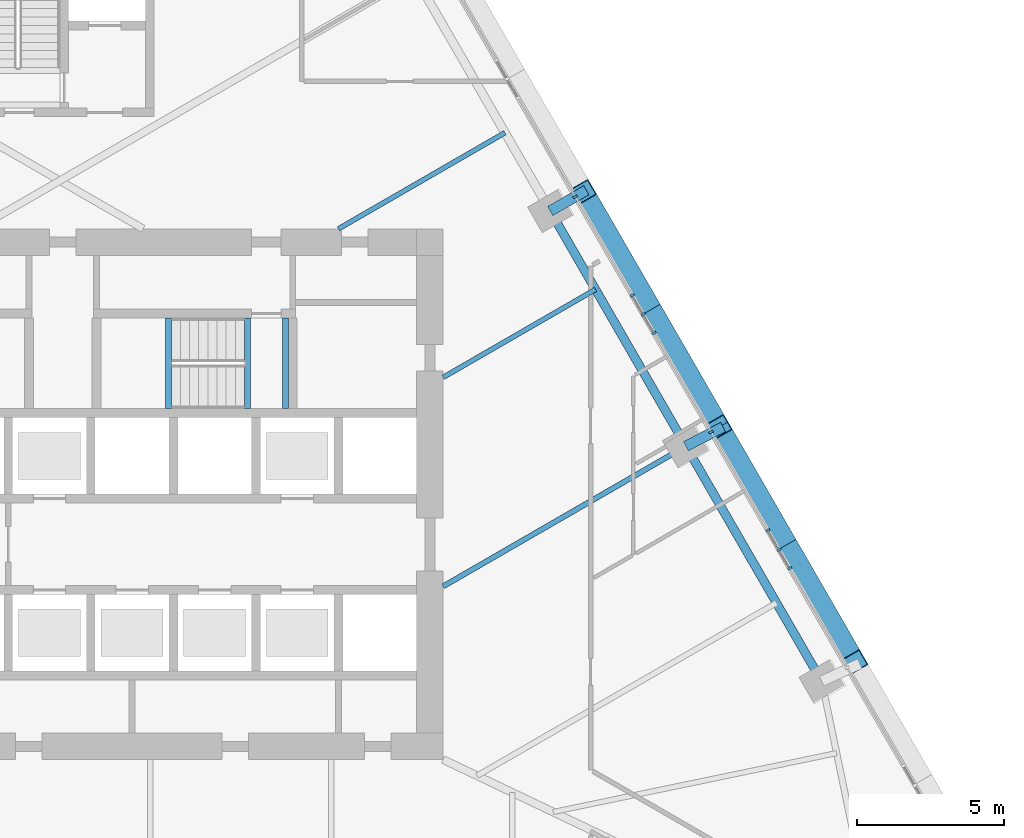
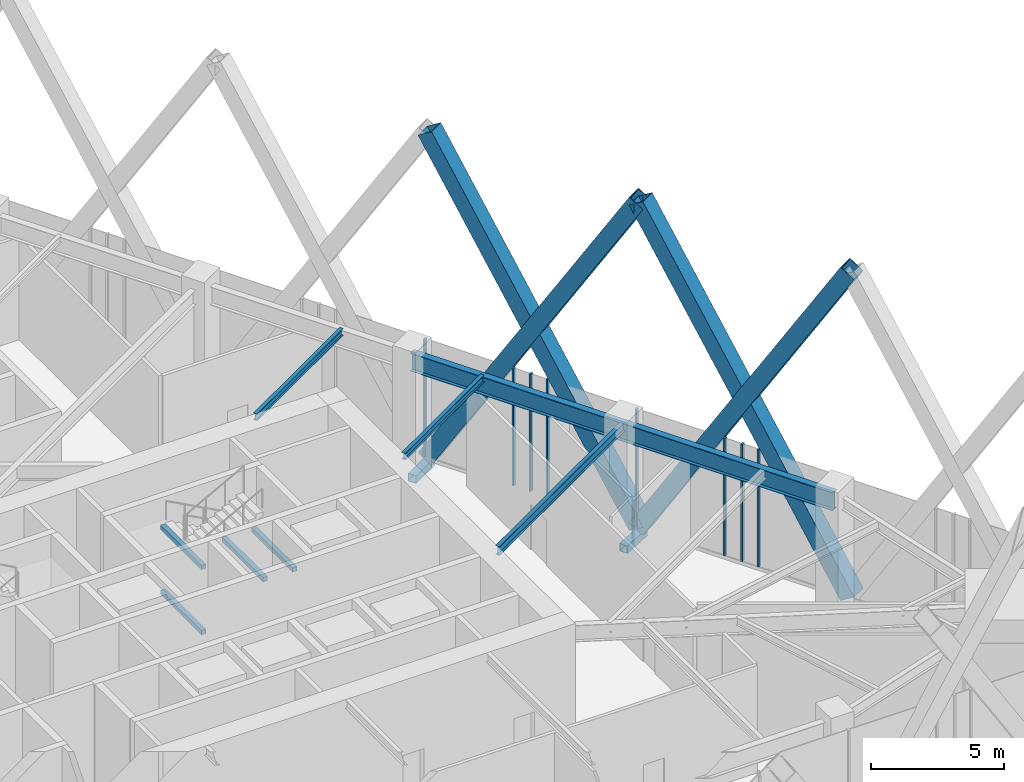
# One storey, part 7 of 21: 14 members, 8 beams, 1 element without a shape of its own.
"""IFC4 building model written with IfcOpenShell, lengths in metres."""

from ifc_helpers import new_model, si_unit, direction, frame, origin, origin_2d, place, context, subcontext, project, spatial, rectangle, hollow_rectangle, i_section, extrude, material, layer, layer_set, material_profile, profile_set, type_object, element, aggregate, save


model = new_model("IFC4")

# Units and contexts
model_context = context("Model", 3, precision=1e-05, world=origin(), true_north=direction((0.0, 1.0)))
body_context = subcontext(model_context, "Body", "Model", "MODEL_VIEW")
ifc_project = project(units=[si_unit("LENGTHUNIT", "METRE"), si_unit("AREAUNIT", "SQUARE_METRE"), si_unit("VOLUMEUNIT", "CUBIC_METRE"), si_unit("PLANEANGLEUNIT", "RADIAN"), si_unit("MASSUNIT", "GRAM", prefix="KILO")], contexts=[model_context])

# Site, building, storey
site_placement = place(None, origin())
site = spatial("IfcSite", under=ifc_project, at=site_placement, CompositionType="ELEMENT")
building_placement = place(site_placement, origin())
building = spatial("IfcBuilding", under=site, at=building_placement, Name="Firuza Gate Tower and Library", CompositionType="ELEMENT")
storey_placement = place(building_placement, frame((0.0, 0.0, 140.800048828125)))
storey = spatial("IfcBuildingStorey", under=building, at=storey_placement, Name="L32", CompositionType="ELEMENT", Elevation=140.800048828125)

# Members
ifc_material_1 = material(Name="Steel S355", Category="steel")
ifc_material_profile_1 = material_profile(ifc_material_1, hollow_rectangle(XDim=0.699951171875, YDim=0.699951171875, WallThickness=0.030029296875, at=origin_2d()))
ifc_profile_set_1 = profile_set([ifc_material_profile_1], Name="Steel S355")
member_type_1 = type_object("IfcMemberType", Name="BU700x700x30 Lattice brace", PredefinedType="BRACE", material=ifc_profile_set_1)
for number, where, z_axis, x_axis, name in (
    (1, (101.96337890625, 69.30517578125, 0.0), (-0.261560312922, 0.453028121538, 0.852262708206), (-0.866021757479, -0.500006315534, 0.0), "Lattice brace E 7.2R"),
    (2, (97.35986328125, 77.278564453125, 0.0), (0.261560312922, -0.453028121538, 0.852262708206), (0.866021757479, 0.500006315534, 0.0), "Lattice brace E 7.2L"),
    (3, (97.35986328125, 77.278564453125, 0.0), (-0.261549033997, 0.453018740507, 0.852271156126), (-0.866026610508, -0.499997909888, 0.0), "Lattice brace E 7.3R"),
    (4, (92.756591796875, 85.251708984375, 0.0), (0.261549033997, -0.453018740507, 0.852271156126), (0.866026610508, 0.499997909888, 0.0), "Lattice brace E 7.3L"),
):
    element("IfcMember", number, at=place(storey_placement, frame(where, z_axis=z_axis, x_axis=x_axis)), inside=storey, type_object=member_type_1, Name=name, PredefinedType="BRACE", context=body_context, shape_type="SweptSolid", body=[
        extrude(hollow_rectangle(XDim=0.699951171875, YDim=0.699951171875, WallThickness=0.030029296875, at=origin_2d()), origin(), (0.0, 0.0, 1.0), 17.60009765625),
    ])

# Curtain wall, members
ifc_material_2 = material(Name="Aluminium 6063-T6", Category="aluminium")
ifc_layer = layer(ifc_material_2, 0.14990234375)
ifc_layer_set = layer_set([ifc_layer], Name="Unitised curtain wall, offices")
curtain_wall_type = type_object("IfcCurtainWallType", Name="Unitised curtain wall, offices", PredefinedType="NOTDEFINED", material=ifc_layer_set)
curtain_wall_placement = place(storey_placement, origin())
curtain_wall = element("IfcCurtainWall", 5, at=curtain_wall_placement, inside=storey, type_object=curtain_wall_type, Name="CW1 L32 E face", PredefinedType="NOTDEFINED")
ifc_material_3 = material(Name="Aluminium 6063-T6", Category="aluminium")
ifc_material_profile_2 = material_profile(ifc_material_3, rectangle(XDim=0.14990234375, YDim=0.080078125, at=origin_2d()))
ifc_profile_set_2 = profile_set([ifc_material_profile_2], Name="Aluminium 6063-T6")
member_type_2 = type_object("IfcMemberType", Name="Curtain wall mullion 80x150", PredefinedType="MULLION", material=ifc_profile_set_2)
member_1_placement = place(storey_placement, frame((99.390869140625, 73.110595703125, 0.14990234375), z_axis=(0.0, 0.0, 1.0), x_axis=(-0.866025403784, -0.5, 0.0)))
member_1 = element("IfcMember", 6, at=member_1_placement, type_object=member_type_2, Name="Mullion", PredefinedType="MULLION", context=body_context, shape_type="SweptSolid", body=[
    extrude(rectangle(XDim=0.14990234375, YDim=0.080078125, at=origin_2d()), origin(), (0.0, 0.0, 1.0), 5.400146484375),
])
member_2_placement = place(storey_placement, frame((97.085693359375, 77.103515625, 0.14990234375), z_axis=(0.0, 0.0, 1.0), x_axis=(-0.866025403784, -0.5, 0.0)))
member_2 = element("IfcMember", 7, at=member_2_placement, type_object=member_type_2, Name="Mullion", PredefinedType="MULLION", context=body_context, shape_type="SweptSolid", body=[
    extrude(rectangle(XDim=0.14990234375, YDim=0.080078125, at=origin_2d()), origin(), (0.0, 0.0, 1.0), 5.400146484375),
])
member_3_placement = place(storey_placement, frame((94.7802734375, 81.096435546875, 0.14990234375), z_axis=(0.0, 0.0, 1.0), x_axis=(-0.866025403784, -0.5, 0.0)))
member_3 = element("IfcMember", 8, at=member_3_placement, type_object=member_type_2, Name="Mullion", PredefinedType="MULLION", context=body_context, shape_type="SweptSolid", body=[
    extrude(rectangle(XDim=0.14990234375, YDim=0.080078125, at=origin_2d()), origin(), (0.0, 0.0, 1.0), 5.400146484375),
])
member_4_placement = place(storey_placement, frame((92.47509765625, 85.089111328125, 0.14990234375), z_axis=(0.0, 0.0, 1.0), x_axis=(-0.866025403784, -0.5, 0.0)))
member_4 = element("IfcMember", 9, at=member_4_placement, type_object=member_type_2, Name="Mullion", PredefinedType="MULLION", context=body_context, shape_type="SweptSolid", body=[
    extrude(rectangle(XDim=0.14990234375, YDim=0.080078125, at=origin_2d()), origin(), (0.0, 0.0, 1.0), 5.400146484375),
])
member_5_placement = place(storey_placement, frame((99.750732421875, 72.4873046875, 0.14990234375), z_axis=(0.0, 0.0, 1.0), x_axis=(-0.866025403784, -0.5, 0.0)))
member_5 = element("IfcMember", 10, at=member_5_placement, type_object=member_type_2, Name="Mullion", PredefinedType="MULLION", context=body_context, shape_type="SweptSolid", body=[
    extrude(rectangle(XDim=0.14990234375, YDim=0.080078125, at=origin_2d()), origin(), (0.0, 0.0, 1.0), 5.400146484375),
])
member_6_placement = place(storey_placement, frame((99.009521484375, 73.771240234375, 0.14990234375), z_axis=(0.0, 0.0, 1.0), x_axis=(-0.866025403784, -0.5, 0.0)))
member_6 = element("IfcMember", 11, at=member_6_placement, type_object=member_type_2, Name="Mullion", PredefinedType="MULLION", context=body_context, shape_type="SweptSolid", body=[
    extrude(rectangle(XDim=0.14990234375, YDim=0.080078125, at=origin_2d()), origin(), (0.0, 0.0, 1.0), 5.400146484375),
])
member_7_placement = place(storey_placement, frame((95.1474609375, 80.460693359375, 0.14990234375), z_axis=(0.0, 0.0, 1.0), x_axis=(-0.866025403784, -0.5, 0.0)))
member_7 = element("IfcMember", 12, at=member_7_placement, type_object=member_type_2, Name="Mullion", PredefinedType="MULLION", context=body_context, shape_type="SweptSolid", body=[
    extrude(rectangle(XDim=0.14990234375, YDim=0.080078125, at=origin_2d()), origin(), (0.0, 0.0, 1.0), 5.400146484375),
])
member_8_placement = place(storey_placement, frame((94.40625, 81.744384765625, 0.14990234375), z_axis=(0.0, 0.0, 1.0), x_axis=(-0.866025403784, -0.5, 0.0)))
member_8 = element("IfcMember", 13, at=member_8_placement, type_object=member_type_2, Name="Mullion", PredefinedType="MULLION", context=body_context, shape_type="SweptSolid", body=[
    extrude(rectangle(XDim=0.14990234375, YDim=0.080078125, at=origin_2d()), origin(), (0.0, 0.0, 1.0), 5.400146484375),
])
aggregate(curtain_wall, [member_1, member_2, member_3, member_4, member_5, member_6, member_7, member_8])

# Members
ifc_material_4 = material(Name="Steel S355", Category="steel")
ifc_material_profile_3 = material_profile(ifc_material_4, hollow_rectangle(XDim=0.355712890625, YDim=0.355712890625, WallThickness=0.014892578125, at=origin_2d()))
ifc_profile_set_3 = profile_set([ifc_material_profile_3], Name="Steel S355")
member_type_3 = type_object("IfcMemberType", Name="HSS356x356x16 Lattice node tie", PredefinedType="BRACE", material=ifc_profile_set_3)
member_9_placement = place(storey_placement, frame((91.630615234375, 84.601806640625, -0.320068359375), z_axis=(0.866013007135, 0.500021471012, 0.0), x_axis=(-0.500021471012, 0.866013007135, 0.0)))
element("IfcMember", 14, at=member_9_placement, inside=storey, type_object=member_type_3, Name="Lattice node tie E L32 130", PredefinedType="BRACE", context=body_context, shape_type="SweptSolid", body=[
    extrude(hollow_rectangle(XDim=0.355712890625, YDim=0.355712890625, WallThickness=0.014892578125, at=origin_2d()), origin(), (0.0, 0.0, 1.0), 1.41357421875),
])
member_10_placement = place(storey_placement, frame((96.234130859375, 76.62841796875, -0.320068359375), z_axis=(0.888200648195, 0.459455774309, 0.0), x_axis=(-0.459455774309, 0.888200648195, 0.0)))
element("IfcMember", 15, at=member_10_placement, inside=storey, type_object=member_type_3, Name="Lattice node tie E L32 131", PredefinedType="BRACE", context=body_context, shape_type="SweptSolid", body=[
    extrude(hollow_rectangle(XDim=0.355712890625, YDim=0.355712890625, WallThickness=0.014892578125, at=origin_2d()), origin(), (0.0, 0.0, 1.0), 1.4150390625),
])

# Beams
ifc_material_5 = material(Name="Concrete C35/45", Category="concrete")
ifc_material_profile_4 = material_profile(ifc_material_5, rectangle(XDim=0.199951171875, YDim=0.199951171875, at=origin_2d()))
ifc_profile_set_4 = profile_set([ifc_material_profile_4], Name="Concrete C35/45")
beam_type_1 = type_object("IfcBeamType", Name="Stair landing bearer 200x200", PredefinedType="BEAM", material=ifc_profile_set_4)
for number, where, z_axis, x_axis, name in (
    (16, (78.679931640625, 80.97998046875, 1.199951171875), (0.0, -1.0, 0.0), (1.0, 0.0, 0.0), "Landing bearer L32 stair 2"),
    (17, (81.360107421875, 80.97998046875, 2.699951171875), (0.0, -1.0, 0.0), (1.0, 0.0, 0.0), "Landing bearer L32 stair 2"),
    (18, (82.64990234375, 80.97998046875, 2.699951171875), (0.0, -1.0, 0.0), (1.0, 0.0, 0.0), "Landing bearer L32 stair 2"),
    (19, (78.679931640625, 80.97998046875, 4.199951171875), (0.0, -1.0, 0.0), (1.0, 0.0, 0.0), "Landing bearer L32 stair 2"),
):
    element("IfcBeam", number, at=place(storey_placement, frame(where, z_axis=z_axis, x_axis=x_axis)), inside=storey, type_object=beam_type_1, Name=name, PredefinedType="BEAM", context=body_context, shape_type="SweptSolid", body=[
        extrude(rectangle(XDim=0.199951171875, YDim=0.199951171875, at=origin_2d()), origin(), (0.0, 0.0, 1.0), 3.080078125),
    ])
ifc_material_6 = material(Name="Steel S355", Category="steel")
ifc_material_profile_5 = material_profile(ifc_material_6, i_section(OverallWidth=0.1650390625, OverallDepth=0.31005859375, WebThickness=0.005859375, FlangeThickness=0.009765625, at=origin_2d()))
ifc_profile_set_5 = profile_set([ifc_material_profile_5], Name="Steel S355")
beam_type_2 = type_object("IfcBeamType", Name="W310x39 Floor beam", PredefinedType="JOIST", material=ifc_profile_set_5)
beam_1_placement = place(storey_placement, frame((93.1650390625, 81.944091796875, 5.39501953125), z_axis=(-0.866015163632, -0.500017736045, 0.0), x_axis=(0.500017736045, -0.866015163632, 0.0)))
element("IfcBeam", 20, at=beam_1_placement, inside=storey, type_object=beam_type_2, Name="Floor beam L32 s52", PredefinedType="JOIST", context=body_context, shape_type="SweptSolid", body=[
    extrude(i_section(OverallWidth=0.1650390625, OverallDepth=0.31005859375, WebThickness=0.005859375, FlangeThickness=0.009765625, at=origin_2d()), origin(), (0.0, 0.0, 1.0), 5.964111328125),
])
beam_2_placement = place(storey_placement, frame((90.09619140625, 87.259521484375, 5.39501953125), z_axis=(-0.866019689325, -0.500009897603, 0.0), x_axis=(0.500009897603, -0.866019689325, 0.0)))
element("IfcBeam", 21, at=beam_2_placement, inside=storey, type_object=beam_type_2, Name="Floor beam L32 s53", PredefinedType="JOIST", context=body_context, shape_type="SweptSolid", body=[
    extrude(i_section(OverallWidth=0.1650390625, OverallDepth=0.31005859375, WebThickness=0.005859375, FlangeThickness=0.009765625, at=origin_2d()), origin(), (0.0, 0.0, 1.0), 6.518798828125),
])
ifc_material_7 = material(Name="Steel S355", Category="steel")
ifc_material_profile_6 = material_profile(ifc_material_7, i_section(OverallWidth=0.177978515625, OverallDepth=0.406982421875, WebThickness=0.0078125, FlangeThickness=0.0126953125, at=origin_2d()))
ifc_profile_set_6 = profile_set([ifc_material_profile_6], Name="Steel S355")
beam_type_3 = type_object("IfcBeamType", Name="W410x60 Floor beam", PredefinedType="JOIST", material=ifc_profile_set_6)
beam_3_placement = place(storey_placement, frame((96.234130859375, 76.62841796875, 5.346435546875), z_axis=(-0.866028656317, -0.499994366407, 0.0), x_axis=(0.499994366407, -0.866028656317, 0.0)))
element("IfcBeam", 22, at=beam_3_placement, inside=storey, type_object=beam_type_3, Name="Floor beam L32 s51", PredefinedType="JOIST", context=body_context, shape_type="SweptSolid", body=[
    extrude(i_section(OverallWidth=0.177978515625, OverallDepth=0.406982421875, WebThickness=0.0078125, FlangeThickness=0.0126953125, at=origin_2d()), origin(), (0.0, 0.0, 1.0), 9.5078125),
])
ifc_material_8 = material(Name="Steel S355", Category="steel")
ifc_material_profile_7 = material_profile(ifc_material_8, i_section(OverallWidth=0.2919921875, OverallDepth=0.8349609375, WebThickness=0.013916015625, FlangeThickness=0.018798828125, at=origin_2d()))
ifc_profile_set_7 = profile_set([ifc_material_profile_7], Name="Steel S355")
beam_type_4 = type_object("IfcBeamType", Name="W840x176 Edge beam", PredefinedType="SPANDREL", material=ifc_profile_set_7)
beam_4_placement = place(storey_placement, frame((100.83740234375, 68.6552734375, 5.132568359375), z_axis=(-0.500002112793, 0.866024183959, 0.0), x_axis=(-0.866024183959, -0.500002112793, 0.0)))
element("IfcBeam", 23, at=beam_4_placement, inside=storey, type_object=beam_type_4, Name="Edge beam L32 e50", PredefinedType="SPANDREL", context=body_context, shape_type="SweptSolid", body=[
    extrude(i_section(OverallWidth=0.2919921875, OverallDepth=0.8349609375, WebThickness=0.013916015625, FlangeThickness=0.018798828125, at=origin_2d()), origin(), (0.0, 0.0, 1.0), 18.41357421875),
])

save(model, "model.ifc")
